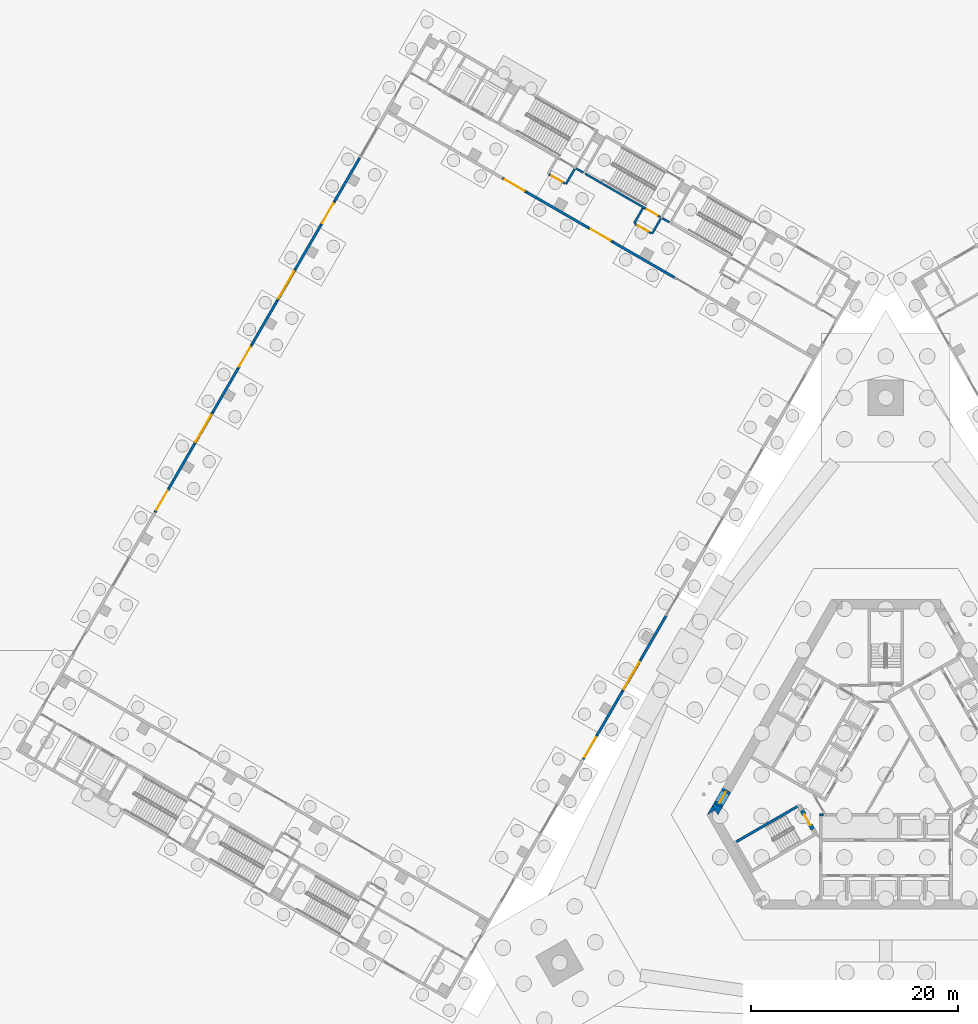
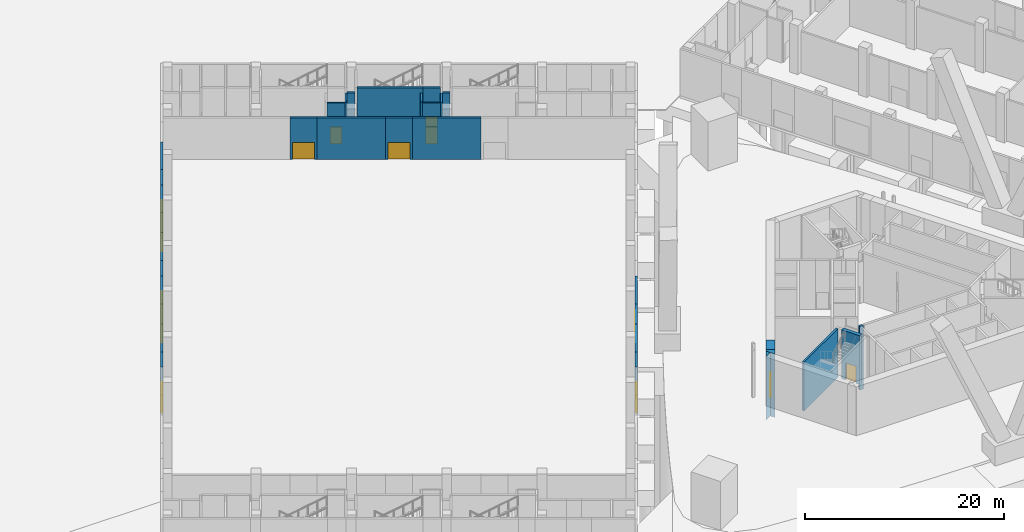
# One storey, part 15 of 38: 33 walls, 11 doors, 3 windows, 14 openings.
"""IFC4 building model written with IfcOpenShell, lengths in metres."""

from ifc_helpers import new_model, si_unit, direction, frame, frame_2d, origin, place, context, subcontext, project, spatial, polyline, rectangle, outline, extrude, material, layer, layer_set, type_object, element, fill, save


model = new_model("IFC4")

# Units and contexts
model_context = context("Model", 3, precision=1e-05, world=origin(), true_north=direction((0.0, 1.0)))
body_context = subcontext(model_context, "Body", "Model", "MODEL_VIEW")
ifc_project = project(units=[si_unit("LENGTHUNIT", "METRE"), si_unit("AREAUNIT", "SQUARE_METRE"), si_unit("VOLUMEUNIT", "CUBIC_METRE"), si_unit("PLANEANGLEUNIT", "RADIAN"), si_unit("MASSUNIT", "GRAM", prefix="KILO")], contexts=[model_context])

# Site, building, storey
site_placement = place(None, origin())
site = spatial("IfcSite", under=ifc_project, at=site_placement, CompositionType="ELEMENT")
building_placement = place(site_placement, origin())
building = spatial("IfcBuilding", under=site, at=building_placement, Name="Mestral Congress Tower", CompositionType="ELEMENT")
storey_placement = place(building_placement, origin())
storey = spatial("IfcBuildingStorey", under=building, at=storey_placement, Name="L00", CompositionType="ELEMENT", Elevation=0.0)

# Walls
ifc_material_1 = material(Name="Concrete C60/75", Category="concrete")
ifc_layer_1 = layer(ifc_material_1, 0.89990234375)
ifc_layer_set_1 = layer_set([ifc_layer_1], Name="Concrete C60/75")
wall_type_1 = type_object("IfcWallType", Name="Core wall RC 900", PredefinedType="SOLIDWALL", material=ifc_layer_set_1)
placement = place(storey_placement, frame((0.0, 0.0, -1.800048828125)))
element("IfcWall", 1, at=placement, inside=storey, type_object=wall_type_1, Name="L00 core wall", PredefinedType="SOLIDWALL", context=body_context, shape_type="SweptSolid", body=[
    extrude(outline(polyline([(-16.4892578125, -3.43994140625), (-17.251220703125, -3.8798828125), (-16.7431640625, -3.0), (-16.4892578125, -3.43994140625)])), origin(), (0.0, 0.0, 1.0), 7.800048828125),
])
element("IfcWall", 2, at=placement, inside=storey, type_object=wall_type_1, Name="L00 core wall", PredefinedType="SOLIDWALL", context=body_context, shape_type="SweptSolid", body=[
    extrude(outline(polyline([(-15.81982421875, -3.20068359375), (-16.223388671875, -3.89990234375), (-16.7431640625, -3.0), (-16.599365234375, -2.750732421875), (-15.81982421875, -3.20068359375)])), origin(), (0.0, 0.0, 1.0), 7.800048828125),
])

# Wall, opening, door
wall_3_placement = place(storey_placement, frame((-16.20947265625, -2.9755859375, -1.800048828125), z_axis=(0.0, 0.0, 1.0), x_axis=(0.499954529098, 0.86605165483, 0.0)))
wall_3 = element("IfcWall", 3, at=wall_3_placement, inside=storey, type_object=wall_type_1, Name="L00 door wall", PredefinedType="SOLIDWALL", context=body_context, shape_type="SweptSolid", body=[
    extrude(rectangle(XDim=1.699951171875, YDim=0.89990234375, at=frame_2d((0.85009765625, 0.0))), origin(), (0.0, 0.0, 1.0), 7.800048828125),
])
opening_1_placement = place(wall_3_placement, frame((0.25, 0.0, 1.800048828125)))
opening_1 = element("IfcOpeningElement", 4, at=opening_1_placement, cuts=wall_3, Name="Opening XD3", PredefinedType="OPENING", context=body_context, shape_type="SweptSolid", body=[
    extrude(rectangle(XDim=1.199951171875, YDim=2.10009765625, at=frame_2d((0.60009765625, 1.050048828125))), frame((0.0, 0.4599609375, 0.0), z_axis=(0.0, -1.0, 0.0), x_axis=(1.0, 0.0, 0.0)), (0.0, 0.0, 1.0), 0.919921875),
])
ifc_material_2 = material(Name="Fire-rated steel door set", Category="steel")
door_type_1 = type_object("IfcDoorType", Name="Core door XD 1200x2100", OperationType="SINGLE_SWING_LEFT", PredefinedType="DOOR", material=ifc_material_2)
door_1_placement = place(opening_1_placement, origin())
door_1 = element("IfcDoor", 5, at=door_1_placement, inside=storey, type_object=door_type_1, Name="Door XD3", OperationType="SINGLE_SWING_LEFT", OverallHeight=2.10009765625, OverallWidth=1.199951171875, PredefinedType="DOOR", context=body_context, shape_type="SweptSolid", body=[
    extrude(rectangle(XDim=1.199951171875, YDim=2.10009765625, at=frame_2d((0.60009765625, 1.050048828125))), frame((0.0, 0.02490234375, 0.0), z_axis=(0.0, -1.0, 0.0), x_axis=(1.0, 0.0, 0.0)), (0.0, 0.0, 1.0), 0.050048828125),
])
fill(opening_1, door_1)

# Wall
ifc_material_3 = material(Name="Precast concrete C40/50 with limestone facing", Category="masonry")
ifc_layer_2 = layer(ifc_material_3, 0.25)
ifc_layer_set_2 = layer_set([ifc_layer_2], Name="Precast concrete C40/50 with limestone facing")
wall_type_2 = type_object("IfcWallType", Name="Podium external wall 250", PredefinedType="SOLIDWALL", material=ifc_layer_set_2)
wall_4_placement = place(storey_placement, frame((-21.237548828125, 15.321533203125, 0.0), z_axis=(0.0, 0.0, 1.0), x_axis=(-0.49998122708, -0.866036242063, 0.0)))
element("IfcWall", 6, at=wall_4_placement, inside=storey, type_object=wall_type_2, Name="L00 external wall", PredefinedType="SOLIDWALL", context=body_context, shape_type="SweptSolid", body=[
    extrude(rectangle(XDim=4.900146484375, YDim=0.25, at=frame_2d((2.4501953125, 0.0))), origin(), (0.0, 0.0, 1.0), 5.699951171875),
])

# Wall, opening, window
wall_5_placement = place(storey_placement, frame((-23.6875, 11.077880859375, 0.0), z_axis=(0.0, 0.0, 1.0), x_axis=(-0.500010275428, -0.866019471182, 0.0)))
wall_5 = element("IfcWall", 7, at=wall_5_placement, inside=storey, type_object=wall_type_2, Name="L00 external wall", PredefinedType="SOLIDWALL", context=body_context, shape_type="SweptSolid", body=[
    extrude(rectangle(XDim=3.5, YDim=0.25, at=frame_2d((1.75, 0.0))), origin(), (0.0, 0.0, 1.0), 5.699951171875),
])
opening_2_placement = place(wall_5_placement, frame((0.25, 0.0, 3.199951171875)))
opening_2 = element("IfcOpeningElement", 8, at=opening_2_placement, cuts=wall_5, Name="Opening PW-3000x2000", PredefinedType="OPENING", context=body_context, shape_type="SweptSolid", body=[
    extrude(rectangle(XDim=3.0, YDim=2.0, at=frame_2d((1.5, 1.0))), frame((0.0, 0.135009765625, 0.0), z_axis=(0.0, -1.0, 0.0), x_axis=(1.0, 0.0, 0.0)), (0.0, 0.0, 1.0), 0.27001953125),
])
ifc_material_4 = material(Name="Aluminium frame, clear double glazing", Category="aluminium")
window_type = type_object("IfcWindowType", Name="Podium window 3000x2000 sill 3200", PartitioningType="SINGLE_PANEL", PredefinedType="WINDOW", material=ifc_material_4)
window_1_placement = place(opening_2_placement, origin())
window_1 = element("IfcWindow", 9, at=window_1_placement, inside=storey, type_object=window_type, Name="Window", OverallHeight=2.0, OverallWidth=3.0, PartitioningType="SINGLE_PANEL", PredefinedType="WINDOW", context=body_context, shape_type="SweptSolid", body=[
    extrude(rectangle(XDim=3.0, YDim=2.0, at=frame_2d((1.5, 1.0))), frame((0.0, 0.030029296875, 0.0), z_axis=(0.0, -1.0, 0.0), x_axis=(1.0, 0.0, 0.0)), (0.0, 0.0, 1.0), 0.06005859375),
])
fill(opening_2, window_1)

# Wall
wall_6_placement = place(storey_placement, frame((-25.4375, 8.046875, 0.0), z_axis=(0.0, 0.0, 1.0), x_axis=(-0.500018594424, -0.866014668023, 0.0)))
element("IfcWall", 10, at=wall_6_placement, inside=storey, type_object=wall_type_2, Name="L00 external wall", PredefinedType="SOLIDWALL", context=body_context, shape_type="SweptSolid", body=[
    extrude(rectangle(XDim=4.900146484375, YDim=0.25, at=frame_2d((2.4501953125, 0.0))), origin(), (0.0, 0.0, 1.0), 5.699951171875),
])

# Wall, opening, door
wall_7_placement = place(storey_placement, frame((-27.8876953125, 3.80322265625, 0.0), z_axis=(0.0, 0.0, 1.0), x_axis=(-0.499980770555, -0.866036505625, 0.0)))
wall_7 = element("IfcWall", 11, at=wall_7_placement, inside=storey, type_object=wall_type_2, Name="L00 external wall", PredefinedType="SOLIDWALL", context=body_context, shape_type="SweptSolid", body=[
    extrude(rectangle(XDim=2.69970703125, YDim=0.25, at=frame_2d((1.349853515625, 0.0))), origin(), (0.0, 0.0, 1.0), 5.699951171875),
])
opening_3_placement = place(wall_7_placement, frame((0.25, 0.0, 0.0)))
opening_3 = element("IfcOpeningElement", 12, at=opening_3_placement, cuts=wall_7, Name="Opening P00-304", PredefinedType="OPENING", context=body_context, shape_type="SweptSolid", body=[
    extrude(rectangle(XDim=2.199951171875, YDim=2.10009765625, at=frame_2d((1.10009765625, 1.050048828125))), frame((0.0, 0.135009765625, 0.0), z_axis=(0.0, -1.0, 0.0), x_axis=(1.0, 0.0, 0.0)), (0.0, 0.0, 1.0), 0.27001953125),
])
ifc_material_5 = material(Name="Steel and glass door set", Category="steel")
door_type_2 = type_object("IfcDoorType", Name="Podium exit door 2200x2100", OperationType="DOUBLE_DOOR_SINGLE_SWING", PredefinedType="DOOR", material=ifc_material_5)
door_2_placement = place(opening_3_placement, origin())
door_2 = element("IfcDoor", 13, at=door_2_placement, inside=storey, type_object=door_type_2, Name="Door P00-304", OperationType="DOUBLE_DOOR_SINGLE_SWING", OverallHeight=2.10009765625, OverallWidth=2.199951171875, PredefinedType="DOOR", context=body_context, shape_type="SweptSolid", body=[
    extrude(rectangle(XDim=2.199951171875, YDim=2.10009765625, at=frame_2d((1.10009765625, 1.050048828125))), frame((0.0, 0.02490234375, 0.0), z_axis=(0.0, -1.0, 0.0), x_axis=(1.0, 0.0, 0.0)), (0.0, 0.0, 1.0), 0.050048828125),
])
fill(opening_3, door_2)

# Wall
wall_8_placement = place(storey_placement, frame((-53.240234375, 55.39111328125, 0.0), z_axis=(0.0, 0.0, 1.0), x_axis=(0.499981632079, 0.866036008249, 0.0)))
element("IfcWall", 14, at=wall_8_placement, inside=storey, type_object=wall_type_2, Name="L00 external wall", PredefinedType="SOLIDWALL", context=body_context, shape_type="SweptSolid", body=[
    extrude(rectangle(XDim=4.838134765625, YDim=0.25, at=frame_2d((2.4189453125, 0.0))), origin(), (0.0, 0.0, 1.0), 5.699951171875),
])

# Wall, opening, door
wall_9_placement = place(storey_placement, frame((-54.59033203125, 53.052978515625, 0.0), z_axis=(0.0, 0.0, 1.0), x_axis=(0.500048589285, 0.86599734893, 0.0)))
wall_9 = element("IfcWall", 15, at=wall_9_placement, inside=storey, type_object=wall_type_2, Name="L00 external wall", PredefinedType="SOLIDWALL", context=body_context, shape_type="SweptSolid", body=[
    extrude(rectangle(XDim=2.699951171875, YDim=0.25, at=frame_2d((1.35009765625, 0.0))), origin(), (0.0, 0.0, 1.0), 5.699951171875),
])
opening_4_placement = place(wall_9_placement, frame((0.25, 0.0, 0.0)))
opening_4 = element("IfcOpeningElement", 16, at=opening_4_placement, cuts=wall_9, Name="Opening P00-308", PredefinedType="OPENING", context=body_context, shape_type="SweptSolid", body=[
    extrude(rectangle(XDim=2.199951171875, YDim=2.10009765625, at=frame_2d((1.10009765625, 1.050048828125))), frame((0.0, 0.135009765625, 0.0), z_axis=(0.0, -1.0, 0.0), x_axis=(1.0, 0.0, 0.0)), (0.0, 0.0, 1.0), 0.27001953125),
])
door_3_placement = place(opening_4_placement, origin())
door_3 = element("IfcDoor", 17, at=door_3_placement, inside=storey, type_object=door_type_2, Name="Door P00-308", OperationType="DOUBLE_DOOR_SINGLE_SWING", OverallHeight=2.10009765625, OverallWidth=2.199951171875, PredefinedType="DOOR", context=body_context, shape_type="SweptSolid", body=[
    extrude(rectangle(XDim=2.199951171875, YDim=2.10009765625, at=frame_2d((1.10009765625, 1.050048828125))), frame((0.0, 0.02490234375, 0.0), z_axis=(0.0, -1.0, 0.0), x_axis=(1.0, 0.0, 0.0)), (0.0, 0.0, 1.0), 0.050048828125),
])
fill(opening_4, door_3)

# Wall
wall_10_placement = place(storey_placement, frame((-57.040283203125, 48.809326171875, 0.0), z_axis=(0.0, 0.0, 1.0), x_axis=(0.49998122708, 0.866036242063, 0.0)))
element("IfcWall", 18, at=wall_10_placement, inside=storey, type_object=wall_type_2, Name="L00 external wall", PredefinedType="SOLIDWALL", context=body_context, shape_type="SweptSolid", body=[
    extrude(rectangle(XDim=4.900146484375, YDim=0.25, at=frame_2d((2.4501953125, 0.0))), origin(), (0.0, 0.0, 1.0), 5.699951171875),
])

# Wall, opening, window
wall_11_placement = place(storey_placement, frame((-58.790283203125, 45.7783203125, 0.0), z_axis=(0.0, 0.0, 1.0), x_axis=(0.500010275428, 0.866019471182, 0.0)))
wall_11 = element("IfcWall", 19, at=wall_11_placement, inside=storey, type_object=wall_type_2, Name="L00 external wall", PredefinedType="SOLIDWALL", context=body_context, shape_type="SweptSolid", body=[
    extrude(rectangle(XDim=3.5, YDim=0.25, at=frame_2d((1.75, 0.0))), origin(), (0.0, 0.0, 1.0), 5.699951171875),
])
opening_5_placement = place(wall_11_placement, frame((0.25, 0.0, 3.199951171875)))
opening_5 = element("IfcOpeningElement", 20, at=opening_5_placement, cuts=wall_11, Name="Opening PW-3000x2000", PredefinedType="OPENING", context=body_context, shape_type="SweptSolid", body=[
    extrude(rectangle(XDim=3.0, YDim=2.0, at=frame_2d((1.5, 1.0))), frame((0.0, 0.135009765625, 0.0), z_axis=(0.0, -1.0, 0.0), x_axis=(1.0, 0.0, 0.0)), (0.0, 0.0, 1.0), 0.27001953125),
])
window_2_placement = place(opening_5_placement, origin())
window_2 = element("IfcWindow", 21, at=window_2_placement, inside=storey, type_object=window_type, Name="Window", OverallHeight=2.0, OverallWidth=3.0, PartitioningType="SINGLE_PANEL", PredefinedType="WINDOW", context=body_context, shape_type="SweptSolid", body=[
    extrude(rectangle(XDim=3.0, YDim=2.0, at=frame_2d((1.5, 1.0))), frame((0.0, 0.030029296875, 0.0), z_axis=(0.0, -1.0, 0.0), x_axis=(1.0, 0.0, 0.0)), (0.0, 0.0, 1.0), 0.06005859375),
])
fill(opening_5, window_2)

# Wall
wall_12_placement = place(storey_placement, frame((-61.240234375, 41.53466796875, 0.0), z_axis=(0.0, 0.0, 1.0), x_axis=(0.49998122708, 0.866036242063, 0.0)))
element("IfcWall", 22, at=wall_12_placement, inside=storey, type_object=wall_type_2, Name="L00 external wall", PredefinedType="SOLIDWALL", context=body_context, shape_type="SweptSolid", body=[
    extrude(rectangle(XDim=4.900146484375, YDim=0.25, at=frame_2d((2.4501953125, 0.0))), origin(), (0.0, 0.0, 1.0), 5.699951171875),
])

# Wall, opening, door
wall_13_placement = place(storey_placement, frame((-62.59033203125, 39.196533203125, 0.0), z_axis=(0.0, 0.0, 1.0), x_axis=(0.500048589285, 0.86599734893, 0.0)))
wall_13 = element("IfcWall", 23, at=wall_13_placement, inside=storey, type_object=wall_type_2, Name="L00 external wall", PredefinedType="SOLIDWALL", context=body_context, shape_type="SweptSolid", body=[
    extrude(rectangle(XDim=2.699951171875, YDim=0.25, at=frame_2d((1.35009765625, 0.0))), origin(), (0.0, 0.0, 1.0), 5.699951171875),
])
opening_6_placement = place(wall_13_placement, frame((0.25, 0.0, 0.0)))
opening_6 = element("IfcOpeningElement", 24, at=opening_6_placement, cuts=wall_13, Name="Opening P00-309", PredefinedType="OPENING", context=body_context, shape_type="SweptSolid", body=[
    extrude(rectangle(XDim=2.199951171875, YDim=2.10009765625, at=frame_2d((1.10009765625, 1.050048828125))), frame((0.0, 0.135009765625, 0.0), z_axis=(0.0, -1.0, 0.0), x_axis=(1.0, 0.0, 0.0)), (0.0, 0.0, 1.0), 0.27001953125),
])
door_4_placement = place(opening_6_placement, origin())
door_4 = element("IfcDoor", 25, at=door_4_placement, inside=storey, type_object=door_type_2, Name="Door P00-309", OperationType="DOUBLE_DOOR_SINGLE_SWING", OverallHeight=2.10009765625, OverallWidth=2.199951171875, PredefinedType="DOOR", context=body_context, shape_type="SweptSolid", body=[
    extrude(rectangle(XDim=2.199951171875, YDim=2.10009765625, at=frame_2d((1.10009765625, 1.050048828125))), frame((0.0, 0.02490234375, 0.0), z_axis=(0.0, -1.0, 0.0), x_axis=(1.0, 0.0, 0.0)), (0.0, 0.0, 1.0), 0.050048828125),
])
fill(opening_6, door_4)

# Wall
wall_14_placement = place(storey_placement, frame((-65.040283203125, 34.952880859375, 0.0), z_axis=(0.0, 0.0, 1.0), x_axis=(0.49998122708, 0.866036242063, 0.0)))
element("IfcWall", 26, at=wall_14_placement, inside=storey, type_object=wall_type_2, Name="L00 external wall", PredefinedType="SOLIDWALL", context=body_context, shape_type="SweptSolid", body=[
    extrude(rectangle(XDim=4.900146484375, YDim=0.25, at=frame_2d((2.4501953125, 0.0))), origin(), (0.0, 0.0, 1.0), 5.699951171875),
])

# Wall, opening, window
wall_15_placement = place(storey_placement, frame((-66.790283203125, 31.921875, 0.0), z_axis=(0.0, 0.0, 1.0), x_axis=(0.500010275428, 0.866019471182, 0.0)))
wall_15 = element("IfcWall", 27, at=wall_15_placement, inside=storey, type_object=wall_type_2, Name="L00 external wall", PredefinedType="SOLIDWALL", context=body_context, shape_type="SweptSolid", body=[
    extrude(rectangle(XDim=3.5, YDim=0.25, at=frame_2d((1.75, 0.0))), origin(), (0.0, 0.0, 1.0), 5.699951171875),
])
opening_7_placement = place(wall_15_placement, frame((0.25, 0.0, 3.199951171875)))
opening_7 = element("IfcOpeningElement", 28, at=opening_7_placement, cuts=wall_15, Name="Opening PW-3000x2000", PredefinedType="OPENING", context=body_context, shape_type="SweptSolid", body=[
    extrude(rectangle(XDim=3.0, YDim=2.0, at=frame_2d((1.5, 1.0))), frame((0.0, 0.135009765625, 0.0), z_axis=(0.0, -1.0, 0.0), x_axis=(1.0, 0.0, 0.0)), (0.0, 0.0, 1.0), 0.27001953125),
])
window_3_placement = place(opening_7_placement, origin())
window_3 = element("IfcWindow", 29, at=window_3_placement, inside=storey, type_object=window_type, Name="Window", OverallHeight=2.0, OverallWidth=3.0, PartitioningType="SINGLE_PANEL", PredefinedType="WINDOW", context=body_context, shape_type="SweptSolid", body=[
    extrude(rectangle(XDim=3.0, YDim=2.0, at=frame_2d((1.5, 1.0))), frame((0.0, 0.030029296875, 0.0), z_axis=(0.0, -1.0, 0.0), x_axis=(1.0, 0.0, 0.0)), (0.0, 0.0, 1.0), 0.06005859375),
])
fill(opening_7, window_3)

# Wall
wall_16_placement = place(storey_placement, frame((-69.240234375, 27.67822265625, 0.0), z_axis=(0.0, 0.0, 1.0), x_axis=(0.49998122708, 0.866036242063, 0.0)))
element("IfcWall", 30, at=wall_16_placement, inside=storey, type_object=wall_type_2, Name="L00 external wall", PredefinedType="SOLIDWALL", context=body_context, shape_type="SweptSolid", body=[
    extrude(rectangle(XDim=4.900146484375, YDim=0.25, at=frame_2d((2.4501953125, 0.0))), origin(), (0.0, 0.0, 1.0), 5.699951171875),
])

# Wall, opening, door
wall_17_placement = place(storey_placement, frame((-70.59033203125, 25.340087890625, 0.0), z_axis=(0.0, 0.0, 1.0), x_axis=(0.500048589285, 0.86599734893, 0.0)))
wall_17 = element("IfcWall", 31, at=wall_17_placement, inside=storey, type_object=wall_type_2, Name="L00 external wall", PredefinedType="SOLIDWALL", context=body_context, shape_type="SweptSolid", body=[
    extrude(rectangle(XDim=2.699951171875, YDim=0.25, at=frame_2d((1.35009765625, 0.0))), origin(), (0.0, 0.0, 1.0), 5.699951171875),
])
opening_8_placement = place(wall_17_placement, frame((0.25, 0.0, 0.0)))
opening_8 = element("IfcOpeningElement", 32, at=opening_8_placement, cuts=wall_17, Name="Opening P00-310", PredefinedType="OPENING", context=body_context, shape_type="SweptSolid", body=[
    extrude(rectangle(XDim=2.199951171875, YDim=2.10009765625, at=frame_2d((1.10009765625, 1.050048828125))), frame((0.0, 0.135009765625, 0.0), z_axis=(0.0, -1.0, 0.0), x_axis=(1.0, 0.0, 0.0)), (0.0, 0.0, 1.0), 0.27001953125),
])
door_5_placement = place(opening_8_placement, origin())
door_5 = element("IfcDoor", 33, at=door_5_placement, inside=storey, type_object=door_type_2, Name="Door P00-310", OperationType="DOUBLE_DOOR_SINGLE_SWING", OverallHeight=2.10009765625, OverallWidth=2.199951171875, PredefinedType="DOOR", context=body_context, shape_type="SweptSolid", body=[
    extrude(rectangle(XDim=2.199951171875, YDim=2.10009765625, at=frame_2d((1.10009765625, 1.050048828125))), frame((0.0, 0.02490234375, 0.0), z_axis=(0.0, -1.0, 0.0), x_axis=(1.0, 0.0, 0.0)), (0.0, 0.0, 1.0), 0.050048828125),
])
fill(opening_8, door_5)

# Wall
ifc_material_6 = material(Name="Masonry block wall", Category="masonry")
ifc_layer_3 = layer(ifc_material_6, 0.25)
ifc_layer_set_3 = layer_set([ifc_layer_3], Name="Masonry block wall")
wall_type_3 = type_object("IfcWallType", Name="Podium hall wall 250 EI 180", PredefinedType="SOLIDWALL", material=ifc_layer_set_3)
wall_18_placement = place(storey_placement, frame((-20.40673828125, 48.010498046875, 0.0), z_axis=(0.0, 0.0, 1.0), x_axis=(-0.866028853923, 0.499994024137, 0.0)))
element("IfcWall", 34, at=wall_18_placement, inside=storey, type_object=wall_type_3, Name="L00 partition", PredefinedType="SOLIDWALL", context=body_context, shape_type="SweptSolid", body=[
    extrude(rectangle(XDim=6.89990234375, YDim=0.25, at=frame_2d((3.449951171875, 0.0))), origin(), (0.0, 0.0, 1.0), 5.10009765625),
])

# Wall, opening, door
wall_19_placement = place(storey_placement, frame((-28.720458984375, 52.810546875, 0.0), z_axis=(0.0, 0.0, 1.0), x_axis=(0.86599734893, -0.500048589285, 0.0)))
wall_19 = element("IfcWall", 35, at=wall_19_placement, inside=storey, type_object=wall_type_3, Name="L00 partition", PredefinedType="SOLIDWALL", context=body_context, shape_type="SweptSolid", body=[
    extrude(rectangle(XDim=2.699951171875, YDim=0.25, at=frame_2d((1.35009765625, 0.0))), origin(), (0.0, 0.0, 1.0), 5.10009765625),
])
opening_9_placement = place(wall_19_placement, frame((0.25, 0.0, 0.0)))
opening_9 = element("IfcOpeningElement", 36, at=opening_9_placement, cuts=wall_19, Name="Opening P00-336", PredefinedType="OPENING", context=body_context, shape_type="SweptSolid", body=[
    extrude(rectangle(XDim=2.199951171875, YDim=2.10009765625, at=frame_2d((1.10009765625, 1.050048828125))), frame((0.0, 0.135009765625, 0.0), z_axis=(0.0, -1.0, 0.0), x_axis=(1.0, 0.0, 0.0)), (0.0, 0.0, 1.0), 0.27001953125),
])
door_type_3 = type_object("IfcDoorType", Name="Podium hall door 2200x2100 EI2 90-C5", OperationType="DOUBLE_DOOR_SINGLE_SWING", PredefinedType="DOOR", material=ifc_material_2)
door_6_placement = place(opening_9_placement, origin())
door_6 = element("IfcDoor", 37, at=door_6_placement, inside=storey, type_object=door_type_3, Name="Door P00-336", OperationType="DOUBLE_DOOR_SINGLE_SWING", OverallHeight=2.10009765625, OverallWidth=2.199951171875, PredefinedType="DOOR", context=body_context, shape_type="SweptSolid", body=[
    extrude(rectangle(XDim=2.199951171875, YDim=2.10009765625, at=frame_2d((1.10009765625, 1.050048828125))), frame((0.0, 0.02490234375, 0.0), z_axis=(0.0, -1.0, 0.0), x_axis=(1.0, 0.0, 0.0)), (0.0, 0.0, 1.0), 0.050048828125),
])
fill(opening_9, door_6)

# Wall
wall_20_placement = place(storey_placement, frame((-28.720458984375, 52.810546875, 0.0), z_axis=(0.0, 0.0, 1.0), x_axis=(-0.866028853923, 0.499994024137, 0.0)))
element("IfcWall", 38, at=wall_20_placement, inside=storey, type_object=wall_type_3, Name="L00 partition", PredefinedType="SOLIDWALL", context=body_context, shape_type="SweptSolid", body=[
    extrude(rectangle(XDim=6.89990234375, YDim=0.25, at=frame_2d((3.449951171875, 0.0))), origin(), (0.0, 0.0, 1.0), 5.10009765625),
])

# Wall, opening, door
wall_21_placement = place(storey_placement, frame((-37.034423828125, 57.610595703125, 0.0), z_axis=(0.0, 0.0, 1.0), x_axis=(0.866019956843, -0.50000943426, 0.0)))
wall_21 = element("IfcWall", 39, at=wall_21_placement, inside=storey, type_object=wall_type_3, Name="L00 partition", PredefinedType="SOLIDWALL", context=body_context, shape_type="SweptSolid", body=[
    extrude(rectangle(XDim=2.7001953125, YDim=0.25, at=frame_2d((1.35009765625, 0.0))), origin(), (0.0, 0.0, 1.0), 5.10009765625),
])
opening_10_placement = place(wall_21_placement, frame((0.25, 0.0, 0.0)))
opening_10 = element("IfcOpeningElement", 40, at=opening_10_placement, cuts=wall_21, Name="Opening P00-337", PredefinedType="OPENING", context=body_context, shape_type="SweptSolid", body=[
    extrude(rectangle(XDim=2.199951171875, YDim=2.10009765625, at=frame_2d((1.10009765625, 1.050048828125))), frame((0.0, 0.135009765625, 0.0), z_axis=(0.0, -1.0, 0.0), x_axis=(1.0, 0.0, 0.0)), (0.0, 0.0, 1.0), 0.27001953125),
])
door_7_placement = place(opening_10_placement, origin())
door_7 = element("IfcDoor", 41, at=door_7_placement, inside=storey, type_object=door_type_3, Name="Door P00-337", OperationType="DOUBLE_DOOR_SINGLE_SWING", OverallHeight=2.10009765625, OverallWidth=2.199951171875, PredefinedType="DOOR", context=body_context, shape_type="SweptSolid", body=[
    extrude(rectangle(XDim=2.199951171875, YDim=2.10009765625, at=frame_2d((1.10009765625, 1.050048828125))), frame((0.0, 0.02490234375, 0.0), z_axis=(0.0, -1.0, 0.0), x_axis=(1.0, 0.0, 0.0)), (0.0, 0.0, 1.0), 0.050048828125),
])
fill(opening_10, door_7)

ifc_layer_4 = layer(ifc_material_6, 0.199951171875)
ifc_layer_set_4 = layer_set([ifc_layer_4], Name="Masonry block wall")
wall_type_4 = type_object("IfcWallType", Name="Podium stair enclosure wall 200 EI 120 load-bearing", PredefinedType="SOLIDWALL", material=ifc_layer_set_4)
wall_22_placement = place(storey_placement, frame((-23.285400390625, 54.724365234375, 0.0), z_axis=(0.0, 0.0, 1.0), x_axis=(0.866002029911, -0.500040482552, 0.0)))
wall_22 = element("IfcWall", 42, at=wall_22_placement, inside=storey, type_object=wall_type_4, Name="L00 partition", PredefinedType="SOLIDWALL", context=body_context, shape_type="SweptSolid", body=[
    extrude(rectangle(XDim=1.749755859375, YDim=0.199951171875, at=frame_2d((0.875, 0.0))), origin(), (0.0, 0.0, 1.0), 5.699951171875),
])
opening_11_placement = place(wall_22_placement, frame((0.25, 0.0, 0.0)))
opening_11 = element("IfcOpeningElement", 43, at=opening_11_placement, cuts=wall_22, Name="Opening P00-320", PredefinedType="OPENING", context=body_context, shape_type="SweptSolid", body=[
    extrude(rectangle(XDim=1.199951171875, YDim=2.10009765625, at=frame_2d((0.60009765625, 1.050048828125))), frame((0.0, 0.10986328125, 0.0), z_axis=(0.0, -1.0, 0.0), x_axis=(1.0, 0.0, 0.0)), (0.0, 0.0, 1.0), 0.219970703125),
])
door_type_4 = type_object("IfcDoorType", Name="Podium stair door 1200x2100 EI2 30-C5", OperationType="SINGLE_SWING_LEFT", PredefinedType="DOOR", material=ifc_material_2)
door_8_placement = place(opening_11_placement, origin())
door_8 = element("IfcDoor", 44, at=door_8_placement, inside=storey, type_object=door_type_4, Name="Door P00-320", OperationType="SINGLE_SWING_LEFT", OverallHeight=2.10009765625, OverallWidth=1.199951171875, PredefinedType="DOOR", context=body_context, shape_type="SweptSolid", body=[
    extrude(rectangle(XDim=1.199951171875, YDim=2.10009765625, at=frame_2d((0.60009765625, 1.050048828125))), frame((0.0, 0.02490234375, 0.0), z_axis=(0.0, -1.0, 0.0), x_axis=(1.0, 0.0, 0.0)), (0.0, 0.0, 1.0), 0.050048828125),
])
fill(opening_11, door_8)

# Walls
wall_23_placement = place(storey_placement, frame((-23.285400390625, 54.724365234375, 0.0), z_axis=(0.0, 0.0, 1.0), x_axis=(-0.866027239912, 0.49999681972, 0.0)))
element("IfcWall", 45, at=wall_23_placement, inside=storey, type_object=wall_type_4, Name="L00 partition", PredefinedType="SOLIDWALL", context=body_context, shape_type="SweptSolid", body=[
    extrude(rectangle(XDim=6.64990234375, YDim=0.199951171875, at=frame_2d((3.324951171875, 0.0))), origin(), (0.0, 0.0, 1.0), 5.699951171875),
])
ifc_material_7 = material(Name="Fire-rated board partition")
ifc_layer_5 = layer(ifc_material_7, 0.199951171875)
ifc_layer_set_5 = layer_set([ifc_layer_5], Name="Fire-rated board partition")
wall_type_5 = type_object("IfcWallType", Name="Podium vestibule wall 200 EI 120", PredefinedType="PARTITIONING", material=ifc_layer_set_5)
wall_24_placement = place(storey_placement, frame((-21.7333984375, 53.712890625, 0.0), z_axis=(0.0, 0.0, 1.0), x_axis=(-0.499892348375, -0.866087547558, 0.0)))
element("IfcWall", 46, at=wall_24_placement, inside=storey, type_object=wall_type_5, Name="L00 partition", PredefinedType="PARTITIONING", context=body_context, shape_type="SweptSolid", body=[
    extrude(rectangle(XDim=1.699951171875, YDim=0.199951171875, at=frame_2d((0.85009765625, 0.0))), origin(), (0.0, 0.0, 1.0), 5.10009765625),
])
wall_25_placement = place(storey_placement, frame((-23.46533203125, 54.712890625, 0.0), z_axis=(0.0, 0.0, 1.0), x_axis=(-0.500000056704, -0.866025371046, 0.0)))
element("IfcWall", 47, at=wall_25_placement, inside=storey, type_object=wall_type_5, Name="L00 partition", PredefinedType="PARTITIONING", context=body_context, shape_type="SweptSolid", body=[
    extrude(rectangle(XDim=1.7001953125, YDim=0.199951171875, at=frame_2d((0.85009765625, 0.0))), origin(), (0.0, 0.0, 1.0), 5.10009765625),
])
wall_26_placement = place(storey_placement, frame((-30.047119140625, 58.5126953125, 0.0), z_axis=(0.0, 0.0, 1.0), x_axis=(-0.500062241894, -0.865989465428, 0.0)))
element("IfcWall", 48, at=wall_26_placement, inside=storey, type_object=wall_type_5, Name="L00 partition", PredefinedType="PARTITIONING", context=body_context, shape_type="SweptSolid", body=[
    extrude(rectangle(XDim=1.699951171875, YDim=0.199951171875, at=frame_2d((0.85009765625, 0.0))), origin(), (0.0, 0.0, 1.0), 5.10009765625),
])

# Wall, opening, door
wall_27_placement = place(storey_placement, frame((-24.228759765625, 53.1904296875, 0.0), z_axis=(0.0, 0.0, 1.0), x_axis=(0.866047807691, -0.499961193289, 0.0)))
wall_27 = element("IfcWall", 49, at=wall_27_placement, inside=storey, type_object=wall_type_5, Name="L00 partition", PredefinedType="PARTITIONING", context=body_context, shape_type="SweptSolid", body=[
    extrude(rectangle(XDim=1.800048828125, YDim=0.199951171875, at=frame_2d((0.89990234375, 0.0))), origin(), (0.0, 0.0, 1.0), 5.10009765625),
])
opening_12_placement = place(wall_27_placement, frame((0.300048828125, 0.0, 0.0)))
opening_12 = element("IfcOpeningElement", 50, at=opening_12_placement, cuts=wall_27, Name="Opening P00-330", PredefinedType="OPENING", context=body_context, shape_type="SweptSolid", body=[
    extrude(rectangle(XDim=1.199951171875, YDim=2.10009765625, at=frame_2d((0.60009765625, 1.050048828125))), frame((0.0, 0.10986328125, 0.0), z_axis=(0.0, -1.0, 0.0), x_axis=(1.0, 0.0, 0.0)), (0.0, 0.0, 1.0), 0.219970703125),
])
door_type_5 = type_object("IfcDoorType", Name="Podium vestibule door 1200x2100 EI2 30-C5", OperationType="SINGLE_SWING_LEFT", PredefinedType="DOOR", material=ifc_material_2)
door_9_placement = place(opening_12_placement, origin())
door_9 = element("IfcDoor", 51, at=door_9_placement, inside=storey, type_object=door_type_5, Name="Door P00-330", OperationType="SINGLE_SWING_LEFT", OverallHeight=2.10009765625, OverallWidth=1.199951171875, PredefinedType="DOOR", context=body_context, shape_type="SweptSolid", body=[
    extrude(rectangle(XDim=1.199951171875, YDim=2.10009765625, at=frame_2d((0.60009765625, 1.050048828125))), frame((0.0, 0.02490234375, 0.0), z_axis=(0.0, -1.0, 0.0), x_axis=(1.0, 0.0, 0.0)), (0.0, 0.0, 1.0), 0.050048828125),
])
fill(opening_12, door_9)

wall_28_placement = place(storey_placement, frame((-32.54248046875, 57.990478515625, 0.0), z_axis=(0.0, 0.0, 1.0), x_axis=(0.866047807691, -0.499961193289, 0.0)))
wall_28 = element("IfcWall", 52, at=wall_28_placement, inside=storey, type_object=wall_type_5, Name="L00 partition", PredefinedType="PARTITIONING", context=body_context, shape_type="SweptSolid", body=[
    extrude(rectangle(XDim=1.800048828125, YDim=0.199951171875, at=frame_2d((0.89990234375, 0.0))), origin(), (0.0, 0.0, 1.0), 5.10009765625),
])
opening_13_placement = place(wall_28_placement, frame((0.300048828125, 0.0, 0.0)))
opening_13 = element("IfcOpeningElement", 53, at=opening_13_placement, cuts=wall_28, Name="Opening P00-331", PredefinedType="OPENING", context=body_context, shape_type="SweptSolid", body=[
    extrude(rectangle(XDim=1.199951171875, YDim=2.10009765625, at=frame_2d((0.60009765625, 1.050048828125))), frame((0.0, 0.10986328125, 0.0), z_axis=(0.0, -1.0, 0.0), x_axis=(1.0, 0.0, 0.0)), (0.0, 0.0, 1.0), 0.219970703125),
])
door_10_placement = place(opening_13_placement, origin())
door_10 = element("IfcDoor", 54, at=door_10_placement, inside=storey, type_object=door_type_5, Name="Door P00-331", OperationType="SINGLE_SWING_LEFT", OverallHeight=2.10009765625, OverallWidth=1.199951171875, PredefinedType="DOOR", context=body_context, shape_type="SweptSolid", body=[
    extrude(rectangle(XDim=1.199951171875, YDim=2.10009765625, at=frame_2d((0.60009765625, 1.050048828125))), frame((0.0, 0.02490234375, 0.0), z_axis=(0.0, -1.0, 0.0), x_axis=(1.0, 0.0, 0.0)), (0.0, 0.0, 1.0), 0.050048828125),
])
fill(opening_13, door_10)

# Walls
wall_29_placement = place(storey_placement, frame((-20.90380859375, 53.349365234375, 0.0), z_axis=(0.0, 0.0, 1.0), x_axis=(-0.865961984968, 0.500109828528, 0.0)))
element("IfcWall", 55, at=wall_29_placement, inside=storey, type_object=wall_type_5, Name="L00 partition", PredefinedType="PARTITIONING", context=body_context, shape_type="SweptSolid", body=[
    extrude(rectangle(XDim=0.800048828125, YDim=0.199951171875, at=frame_2d((0.39990234375, 0.0))), origin(), (0.0, 0.0, 1.0), 5.10009765625),
])
wall_30_placement = place(storey_placement, frame((-29.2177734375, 58.1494140625, 0.0), z_axis=(0.0, 0.0, 1.0), x_axis=(-0.866017831539, 0.500013115284, 0.0)))
element("IfcWall", 56, at=wall_30_placement, inside=storey, type_object=wall_type_5, Name="L00 partition", PredefinedType="PARTITIONING", context=body_context, shape_type="SweptSolid", body=[
    extrude(rectangle(XDim=0.7998046875, YDim=0.199951171875, at=frame_2d((0.39990234375, 0.0))), origin(), (0.0, 0.0, 1.0), 5.10009765625),
])
ifc_layer_6 = layer(ifc_material_1, 0.25)
ifc_layer_set_6 = layer_set([ifc_layer_6], Name="Concrete C60/75")
wall_type_6 = type_object("IfcWallType", Name="Shaft wall RC 250", PredefinedType="SOLIDWALL", material=ifc_layer_set_6)
wall_31_placement = place(storey_placement, frame((-6.425048828125, -3.875, -1.800048828125), z_axis=(0.0, 0.0, 1.0), x_axis=(1.0, 0.0, 0.0)))
element("IfcWall", 57, at=wall_31_placement, inside=storey, type_object=wall_type_6, Name="L00 core wall", PredefinedType="SOLIDWALL", context=body_context, shape_type="SweptSolid", body=[
    extrude(rectangle(XDim=0.427978515625, YDim=0.25, at=frame_2d((0.2138671875, 0.0))), origin(), (0.0, 0.0, 1.0), 7.800048828125),
])
ifc_layer_7 = layer(ifc_material_1, 0.25)
ifc_layer_set_7 = layer_set([ifc_layer_7], Name="Concrete C60/75")
wall_type_7 = type_object("IfcWallType", Name="Stair wall RC 250", PredefinedType="SOLIDWALL", material=ifc_layer_set_7)
wall_32_placement = place(storey_placement, frame((-14.43994140625, -6.489501953125, 0.0), z_axis=(0.0, 0.0, 1.0), x_axis=(0.866022966069, 0.500004222222, 0.0)))
element("IfcWall", 58, at=wall_32_placement, inside=storey, type_object=wall_type_7, Name="L00 core wall", PredefinedType="SOLIDWALL", context=body_context, shape_type="SweptSolid", body=[
    extrude(rectangle(XDim=6.80029296875, YDim=0.25, at=frame_2d((3.400146484375, 0.0))), origin(), (0.0, 0.0, 1.0), 6.0),
])

# Wall, opening, door
ifc_layer_8 = layer(ifc_material_1, 0.39990234375)
ifc_layer_set_8 = layer_set([ifc_layer_8], Name="Concrete C60/75")
wall_type_8 = type_object("IfcWallType", Name="Stair wall RC 250 door-wall 400", PredefinedType="SOLIDWALL", material=ifc_layer_set_8)
wall_33_placement = place(storey_placement, frame((-8.102783203125, -3.4658203125, 0.0), z_axis=(0.0, 0.0, 1.0), x_axis=(0.500078061341, -0.865980330357, 0.0)))
wall_33 = element("IfcWall", 59, at=wall_33_placement, inside=storey, type_object=wall_type_8, Name="L00 door wall", PredefinedType="SOLIDWALL", context=body_context, shape_type="SweptSolid", body=[
    extrude(rectangle(XDim=2.099853515625, YDim=0.39990234375, at=frame_2d((1.0498046875, 0.0))), origin(), (0.0, 0.0, 1.0), 6.0),
])
opening_14_placement = place(wall_33_placement, frame((0.449951171875, 0.0, 0.0)))
opening_14 = element("IfcOpeningElement", 60, at=opening_14_placement, cuts=wall_33, Name="Opening ST-D3", PredefinedType="OPENING", context=body_context, shape_type="SweptSolid", body=[
    extrude(rectangle(XDim=1.199951171875, YDim=2.10009765625, at=frame_2d((0.60009765625, 1.050048828125))), frame((0.0, 0.2099609375, 0.0), z_axis=(0.0, -1.0, 0.0), x_axis=(1.0, 0.0, 0.0)), (0.0, 0.0, 1.0), 0.419921875),
])
door_type_6 = type_object("IfcDoorType", Name="Core door ST 1200x2100", OperationType="SINGLE_SWING_LEFT", PredefinedType="DOOR", material=ifc_material_2)
door_11_placement = place(opening_14_placement, origin())
door_11 = element("IfcDoor", 61, at=door_11_placement, inside=storey, type_object=door_type_6, Name="Door ST-D3", OperationType="SINGLE_SWING_LEFT", OverallHeight=2.10009765625, OverallWidth=1.199951171875, PredefinedType="DOOR", context=body_context, shape_type="SweptSolid", body=[
    extrude(rectangle(XDim=1.199951171875, YDim=2.10009765625, at=frame_2d((0.60009765625, 1.050048828125))), frame((0.0, 0.02490234375, 0.0), z_axis=(0.0, -1.0, 0.0), x_axis=(1.0, 0.0, 0.0)), (0.0, 0.0, 1.0), 0.050048828125),
])
fill(opening_14, door_11)

save(model, "model.ifc")
